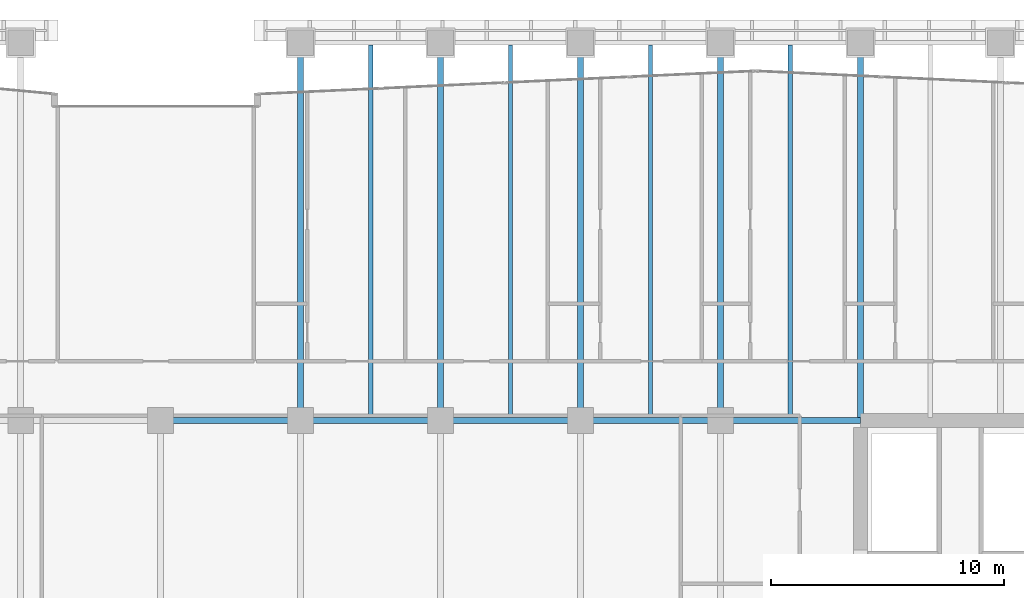
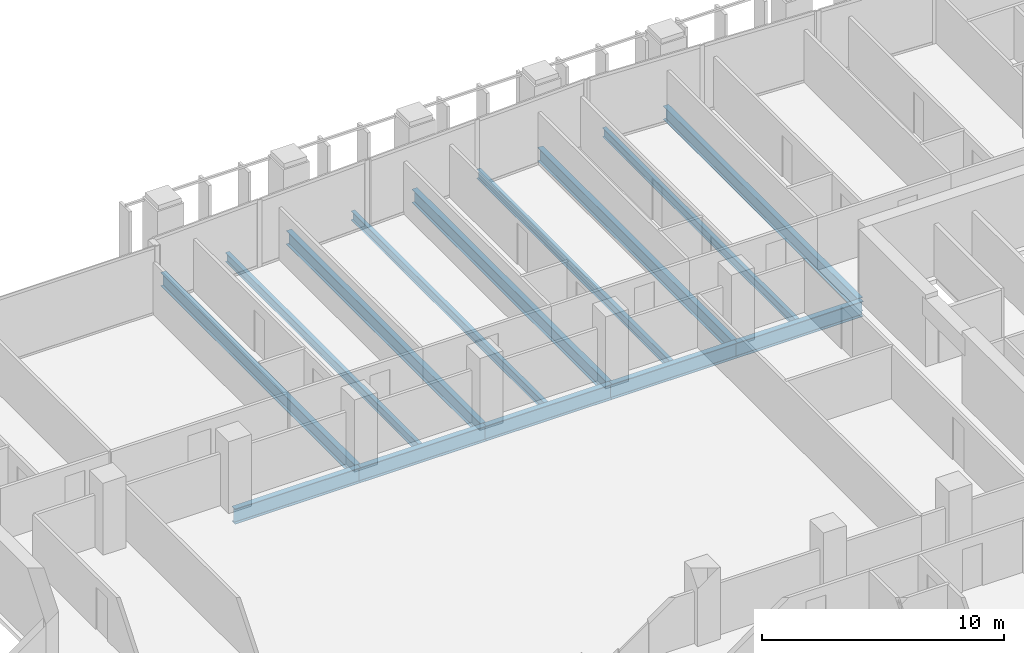
# One storey, part 11 of 32: 14 beams.
"""IFC4 building model written with IfcOpenShell, lengths in metres."""

from ifc_helpers import new_model, si_unit, direction, frame, origin, origin_2d, place, context, subcontext, project, spatial, i_section, extrude, material, material_profile, profile_set, type_object, element, save


model = new_model("IFC4")

# Units and contexts
model_context = context("Model", 3, precision=1e-05, world=origin(), true_north=direction((0.0, 1.0)))
body_context = subcontext(model_context, "Body", "Model", "MODEL_VIEW")
ifc_project = project(units=[si_unit("LENGTHUNIT", "METRE"), si_unit("AREAUNIT", "SQUARE_METRE"), si_unit("VOLUMEUNIT", "CUBIC_METRE"), si_unit("PLANEANGLEUNIT", "RADIAN"), si_unit("MASSUNIT", "GRAM", prefix="KILO")], contexts=[model_context])

# Site, building, storey
site_placement = place(None, origin())
site = spatial("IfcSite", under=ifc_project, at=site_placement, CompositionType="ELEMENT")
building_placement = place(site_placement, origin())
building = spatial("IfcBuilding", under=site, at=building_placement, Name="Tanjung Sevakor Pilgrim Tower", CompositionType="ELEMENT")
storey_placement = place(building_placement, frame((0.0, 0.0, 62.3701171875)))
storey = spatial("IfcBuildingStorey", under=building, at=storey_placement, Name="L17", CompositionType="ELEMENT", Elevation=62.3701171875)

# Beams
ifc_material_1 = material(Name="Steel S355J2", Category="steel")
ifc_material_profile_1 = material_profile(ifc_material_1, i_section(OverallWidth=0.26806640625, OverallDepth=0.769775390625, WebThickness=0.015625, FlangeThickness=0.025390625, FilletRadius=0.0166015625, at=origin_2d()))
ifc_profile_set_1 = profile_set([ifc_material_profile_1], Name="Steel S355J2")
beam_type_1 = type_object("IfcBeamType", Name="BM-B-G1-UB_762x267x197", PredefinedType="BEAM", material=ifc_profile_set_1)
for number, where, z_axis, x_axis, name in (
    (1, (48.0, 42.60009765625, -0.60498046875), (1.0, 0.0, 0.0), (0.0, 1.0, 0.0), "L17 Primary Floor Girder MAIN Y426-04"),
    (2, (54.0, 42.60009765625, -0.60498046875), (1.0, 0.0, 0.0), (0.0, 1.0, 0.0), "L17 Primary Floor Girder MAIN Y426-05"),
    (3, (60.0, 42.60009765625, -0.60498046875), (1.0, 0.0, 0.0), (0.0, 1.0, 0.0), "L17 Primary Floor Girder MAIN Y426-06"),
    (4, (66.0, 42.60009765625, -0.60498046875), (1.0, 0.0, 0.0), (0.0, 1.0, 0.0), "L17 Primary Floor Girder MAIN Y426-07"),
    (5, (72.0, 42.60009765625, -0.60498046875), (1.0, 0.0, 0.0), (0.0, 1.0, 0.0), "L17 Primary Floor Girder MAIN Y426-08"),
):
    element("IfcBeam", number, at=place(storey_placement, frame(where, z_axis=z_axis, x_axis=x_axis)), inside=storey, type_object=beam_type_1, Name=name, PredefinedType="BEAM", context=body_context, shape_type="SweptSolid", body=[
        extrude(i_section(OverallWidth=0.26806640625, OverallDepth=0.769775390625, WebThickness=0.015625, FlangeThickness=0.025390625, FilletRadius=0.0166015625, at=origin_2d()), origin(), (0.0, 0.0, 1.0), 6.0),
    ])
ifc_material_2 = material(Name="Steel S355J2", Category="steel")
ifc_material_profile_2 = material_profile(ifc_material_2, i_section(OverallWidth=0.25439453125, OverallDepth=0.6875, WebThickness=0.01318359375, FlangeThickness=0.02099609375, FilletRadius=0.01513671875, at=origin_2d()))
ifc_profile_set_2 = profile_set([ifc_material_profile_2], Name="Steel S355J2")
beam_type_2 = type_object("IfcBeamType", Name="BM-B-G2-UB_686x254x152", PredefinedType="BEAM", material=ifc_profile_set_2)
for number, where, z_axis, x_axis, name in (
    (6, (54.0, 42.60009765625, -0.56396484375), (0.0, 1.0, 0.0), (-1.0, 0.0, 0.0), "L17 MAIN Girder 019"),
    (7, (60.0, 42.60009765625, -0.56396484375), (0.0, 1.0, 0.0), (-1.0, 0.0, 0.0), "L17 MAIN Girder 024"),
    (8, (66.0, 42.60009765625, -0.56396484375), (0.0, 1.0, 0.0), (-1.0, 0.0, 0.0), "L17 MAIN Girder 029"),
    (9, (72.0, 42.60009765625, -0.56396484375), (0.0, 1.0, 0.0), (-1.0, 0.0, 0.0), "L17 MAIN Girder 034"),
):
    element("IfcBeam", number, at=place(storey_placement, frame(where, z_axis=z_axis, x_axis=x_axis)), inside=storey, type_object=beam_type_2, Name=name, PredefinedType="BEAM", context=body_context, shape_type="SweptSolid", body=[
        extrude(i_section(OverallWidth=0.25439453125, OverallDepth=0.6875, WebThickness=0.01318359375, FlangeThickness=0.02099609375, FilletRadius=0.01513671875, at=origin_2d()), origin(), (0.0, 0.0, 1.0), 16.199951171875),
    ])
beam_placement = place(storey_placement, frame((78.0, 42.73388671875, -0.56396484375), z_axis=(0.0, 1.0, 0.0), x_axis=(-1.0, 0.0, 0.0)))
element("IfcBeam", 10, at=beam_placement, inside=storey, type_object=beam_type_2, Name="L17 MAIN Girder 038", PredefinedType="BEAM", context=body_context, shape_type="SweptSolid", body=[
    extrude(i_section(OverallWidth=0.25439453125, OverallDepth=0.6875, WebThickness=0.01318359375, FlangeThickness=0.02099609375, FilletRadius=0.01513671875, at=origin_2d()), origin(), (0.0, 0.0, 1.0), 16.066162109375),
])
ifc_material_3 = material(Name="Steel S355J2", Category="steel")
ifc_material_profile_3 = material_profile(ifc_material_3, i_section(OverallWidth=0.19140625, OverallDepth=0.4599609375, WebThickness=0.010009765625, FlangeThickness=0.01611328125, FilletRadius=0.01025390625, at=origin_2d()))
ifc_profile_set_3 = profile_set([ifc_material_profile_3], Name="Steel S355J2")
beam_type_3 = type_object("IfcBeamType", Name="BM-B-J2-UB_457x191x82", PredefinedType="JOIST", material=ifc_profile_set_3)
for number, where, z_axis, x_axis, name in (
    (11, (57.0, 42.73388671875, -0.4501953125), (0.0, 1.0, 0.0), (-1.0, 0.0, 0.0), "L17 MAIN Joist 021"),
    (12, (63.0, 42.73388671875, -0.4501953125), (0.0, 1.0, 0.0), (-1.0, 0.0, 0.0), "L17 MAIN Joist 026"),
    (13, (69.0, 42.73388671875, -0.4501953125), (0.0, 1.0, 0.0), (-1.0, 0.0, 0.0), "L17 MAIN Joist 031"),
    (14, (75.0, 42.73388671875, -0.4501953125), (0.0, 1.0, 0.0), (-1.0, 0.0, 0.0), "L17 MAIN Joist 036"),
):
    element("IfcBeam", number, at=place(storey_placement, frame(where, z_axis=z_axis, x_axis=x_axis)), inside=storey, type_object=beam_type_3, Name=name, PredefinedType="JOIST", context=body_context, shape_type="SweptSolid", body=[
        extrude(i_section(OverallWidth=0.19140625, OverallDepth=0.4599609375, WebThickness=0.010009765625, FlangeThickness=0.01611328125, FilletRadius=0.01025390625, at=origin_2d()), origin(), (0.0, 0.0, 1.0), 15.966064453125),
    ])

save(model, "model.ifc")
